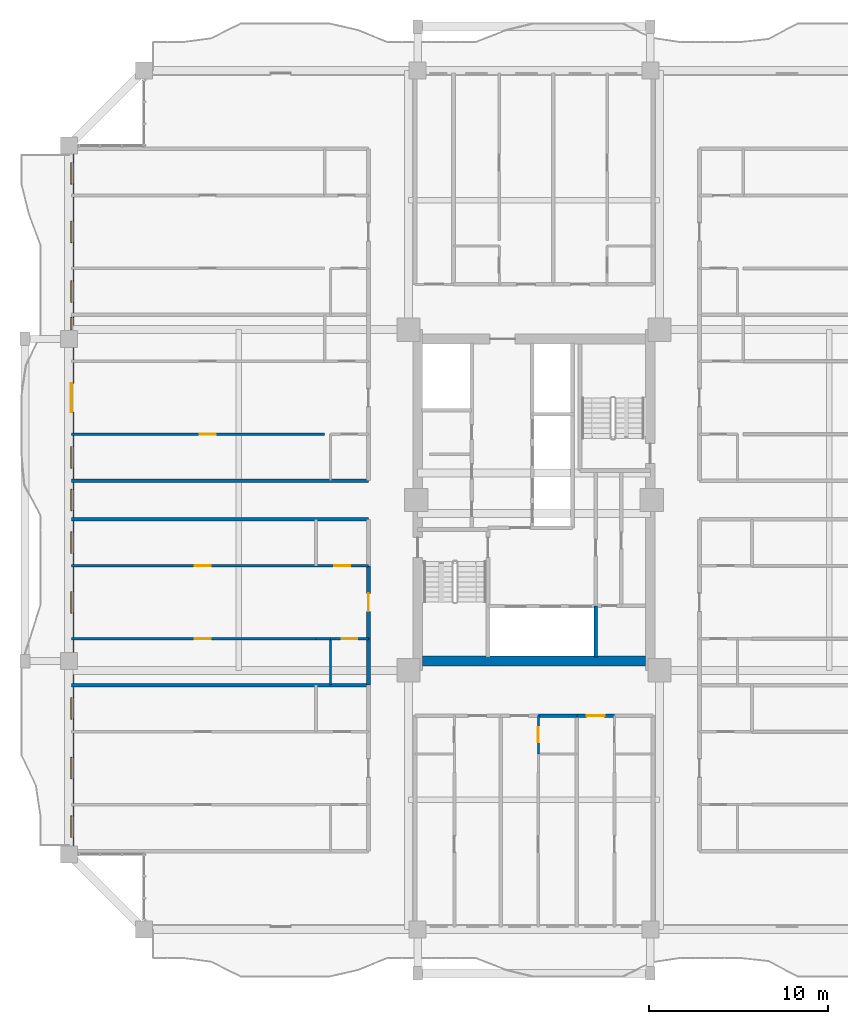
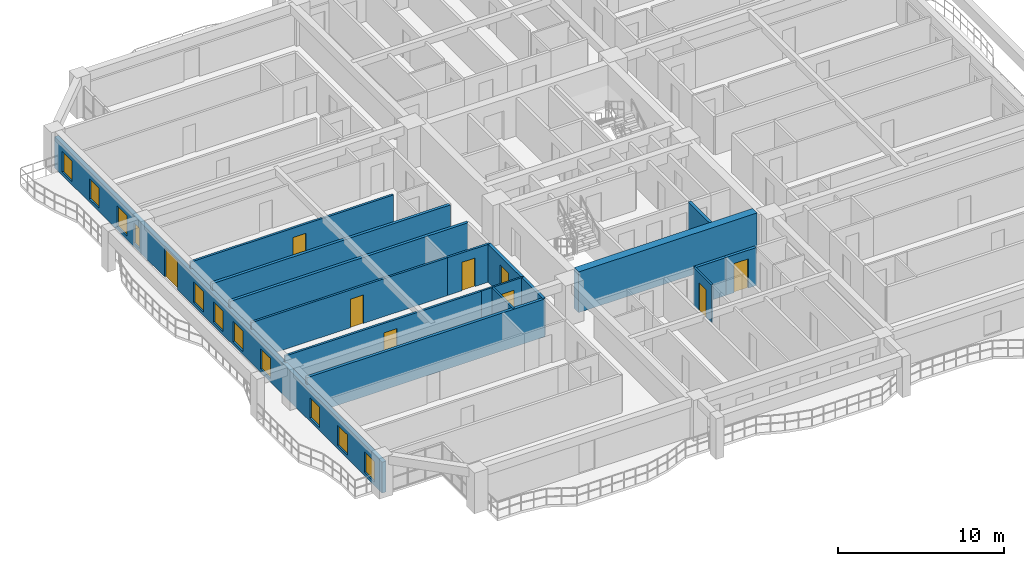
# One storey, part 15 of 25: 18 walls, 11 windows, 9 doors, 20 openings.
"""IFC4 building model written with IfcOpenShell, lengths in metres."""

from ifc_helpers import new_model, si_unit, direction, frame, frame_2d, origin, place, context, subcontext, project, spatial, rectangle, extrude, source, transform, mapped, material, layer, layer_set, type_object, element, fill, save


model = new_model("IFC4")

# Units and contexts
model_context = context("Model", 3, precision=1e-05, world=origin(), true_north=direction((0.0, 1.0)))
body_context = subcontext(model_context, "Body", "Model", "MODEL_VIEW")
ifc_project = project(units=[si_unit("LENGTHUNIT", "METRE"), si_unit("AREAUNIT", "SQUARE_METRE"), si_unit("VOLUMEUNIT", "CUBIC_METRE"), si_unit("PLANEANGLEUNIT", "RADIAN"), si_unit("MASSUNIT", "GRAM", prefix="KILO")], contexts=[model_context])

# Site, building, storey
site_placement = place(None, origin())
site = spatial("IfcSite", under=ifc_project, at=site_placement, CompositionType="ELEMENT")
building_placement = place(site_placement, origin())
building = spatial("IfcBuilding", under=site, at=building_placement, Name="Saelheon Loggia Tower", CompositionType="ELEMENT")
storey_placement = place(building_placement, frame((0.0, 0.0, 107.85009765625)))
storey = spatial("IfcBuildingStorey", under=building, at=storey_placement, Name="L34", CompositionType="ELEMENT", Elevation=107.85009765625)

# Wall
ifc_material_1 = material(Name="Concrete C50/60", Category="concrete")
ifc_layer_1 = layer(ifc_material_1, 0.550048828125)
ifc_layer_set_1 = layer_set([ifc_layer_1], Name="Concrete C50/60")
wall_type_1 = type_object("IfcWallType", Name="Wall_CoreShear_550", PredefinedType="SHEAR", material=ifc_layer_set_1)
wall_1_placement = place(storey_placement, frame((31.77490234375, 18.0, 0.0), z_axis=(0.0, 0.0, 1.0), x_axis=(1.0, 0.0, 0.0)))
element("IfcWall", 1, at=wall_1_placement, inside=storey, type_object=wall_type_1, Name="L34 Core Shear Wall South", PredefinedType="SHEAR", context=body_context, shape_type="SweptSolid", body=[
    extrude(rectangle(XDim=12.4501953125, YDim=0.550048828125, at=frame_2d((6.22509765625, 0.0))), origin(), (0.0, 0.0, 1.0), 3.0),
])

# Wall, openings, windows, door
ifc_material_2 = material(Name="Architectural Precast Concrete C40/50", Category="concrete")
ifc_layer_2 = layer(ifc_material_2, 0.280029296875)
ifc_layer_set_2 = layer_set([ifc_layer_2], Name="Architectural Precast Concrete C40/50")
wall_type_2 = type_object("IfcWallType", Name="Wall_Ext_Loggia_280", PredefinedType="SOLIDWALL", material=ifc_layer_set_2)
wall_2_placement = place(storey_placement, frame((12.139892578125, 7.199951171875, 0.0), z_axis=(0.0, 0.0, 1.0), x_axis=(0.0, 1.0, 0.0)))
wall_2 = element("IfcWall", 2, at=wall_2_placement, inside=storey, type_object=wall_type_2, Name="L34 West Loggia Inner Wall", PredefinedType="SOLIDWALL", context=body_context, shape_type="SweptSolid", body=[
    extrude(rectangle(XDim=39.60009765625, YDim=0.280029296875, at=frame_2d((19.800048828125, 0.0))), origin(), (0.0, 0.0, 1.0), 2.27978515625),
])
opening_1_placement = place(wall_2_placement, frame((0.9453125, 0.0, 0.25)))
opening_1 = element("IfcOpeningElement", 3, at=opening_1_placement, cuts=wall_2, Name="Opening WN-03", PredefinedType="OPENING", context=body_context, shape_type="SweptSolid", body=[
    extrude(rectangle(XDim=1.199951171875, YDim=1.5, at=frame_2d((0.60009765625, 0.75))), frame((0.0, 0.152099609375, 0.0), z_axis=(0.0, -1.0, 0.0), x_axis=(1.0, 0.0, 0.0)), (0.0, 0.0, 1.0), 0.303955078125),
])
opening_2_placement = place(wall_2_placement, frame((4.212890625, 0.0, 0.25)))
opening_2 = element("IfcOpeningElement", 4, at=opening_2_placement, cuts=wall_2, Name="Opening WN-03", PredefinedType="OPENING", context=body_context, shape_type="SweptSolid", body=[
    extrude(rectangle(XDim=1.199951171875, YDim=1.5, at=frame_2d((0.60009765625, 0.75))), frame((0.0, 0.152099609375, 0.0), z_axis=(0.0, -1.0, 0.0), x_axis=(1.0, 0.0, 0.0)), (0.0, 0.0, 1.0), 0.303955078125),
])
opening_3_placement = place(wall_2_placement, frame((7.550048828125, 0.0, 0.25)))
opening_3 = element("IfcOpeningElement", 5, at=opening_3_placement, cuts=wall_2, Name="Opening WN-03", PredefinedType="OPENING", context=body_context, shape_type="SweptSolid", body=[
    extrude(rectangle(XDim=1.199951171875, YDim=1.5, at=frame_2d((0.60009765625, 0.75))), frame((0.0, 0.152099609375, 0.0), z_axis=(0.0, -1.0, 0.0), x_axis=(1.0, 0.0, 0.0)), (0.0, 0.0, 1.0), 0.303955078125),
])
opening_4_placement = place(wall_2_placement, frame((13.48291015625, 0.0, 0.25)))
opening_4 = element("IfcOpeningElement", 6, at=opening_4_placement, cuts=wall_2, Name="Opening WN-03", PredefinedType="OPENING", context=body_context, shape_type="SweptSolid", body=[
    extrude(rectangle(XDim=1.199951171875, YDim=1.5, at=frame_2d((0.60009765625, 0.75))), frame((0.0, 0.152099609375, 0.0), z_axis=(0.0, -1.0, 0.0), x_axis=(1.0, 0.0, 0.0)), (0.0, 0.0, 1.0), 0.303955078125),
])
opening_5_placement = place(wall_2_placement, frame((16.820068359375, 0.0, 0.25)))
opening_5 = element("IfcOpeningElement", 7, at=opening_5_placement, cuts=wall_2, Name="Opening WN-03", PredefinedType="OPENING", context=body_context, shape_type="SweptSolid", body=[
    extrude(rectangle(XDim=1.199951171875, YDim=1.5, at=frame_2d((0.60009765625, 0.75))), frame((0.0, 0.152099609375, 0.0), z_axis=(0.0, -1.0, 0.0), x_axis=(1.0, 0.0, 0.0)), (0.0, 0.0, 1.0), 0.303955078125),
])
opening_6_placement = place(wall_2_placement, frame((19.199951171875, 0.0, 0.25)))
opening_6 = element("IfcOpeningElement", 8, at=opening_6_placement, cuts=wall_2, Name="Opening WN-03", PredefinedType="OPENING", context=body_context, shape_type="SweptSolid", body=[
    extrude(rectangle(XDim=1.199951171875, YDim=1.5, at=frame_2d((0.60009765625, 0.75))), frame((0.0, 0.152099609375, 0.0), z_axis=(0.0, -1.0, 0.0), x_axis=(1.0, 0.0, 0.0)), (0.0, 0.0, 1.0), 0.303955078125),
])
opening_7_placement = place(wall_2_placement, frame((21.577880859375, 0.0, 0.25)))
opening_7 = element("IfcOpeningElement", 9, at=opening_7_placement, cuts=wall_2, Name="Opening WN-03", PredefinedType="OPENING", context=body_context, shape_type="SweptSolid", body=[
    extrude(rectangle(XDim=1.199951171875, YDim=1.5, at=frame_2d((0.60009765625, 0.75))), frame((0.0, 0.152099609375, 0.0), z_axis=(0.0, -1.0, 0.0), x_axis=(1.0, 0.0, 0.0)), (0.0, 0.0, 1.0), 0.303955078125),
])
opening_8_placement = place(wall_2_placement, frame((24.712890625, 0.0, 0.0)))
opening_8 = element("IfcOpeningElement", 10, at=opening_8_placement, cuts=wall_2, Name="Opening DLG-1", PredefinedType="OPENING", context=body_context, shape_type="SweptSolid", body=[
    extrude(rectangle(XDim=1.60009765625, YDim=2.14990234375, at=frame_2d((0.800048828125, 1.074951171875))), frame((0.0, 0.152099609375, 0.0), z_axis=(0.0, -1.0, 0.0), x_axis=(1.0, 0.0, 0.0)), (0.0, 0.0, 1.0), 0.303955078125),
])
opening_9_placement = place(wall_2_placement, frame((29.304931640625, 0.0, 0.25)))
opening_9 = element("IfcOpeningElement", 11, at=opening_9_placement, cuts=wall_2, Name="Opening WN-06", PredefinedType="OPENING", context=body_context, shape_type="SweptSolid", body=[
    extrude(rectangle(XDim=0.699951171875, YDim=1.5, at=frame_2d((0.35009765625, 0.75))), frame((0.0, 0.152099609375, 0.0), z_axis=(0.0, -1.0, 0.0), x_axis=(1.0, 0.0, 0.0)), (0.0, 0.0, 1.0), 0.303955078125),
])
opening_10_placement = place(wall_2_placement, frame((30.847900390625, 0.0, 0.25)))
opening_10 = element("IfcOpeningElement", 12, at=opening_10_placement, cuts=wall_2, Name="Opening WN-03", PredefinedType="OPENING", context=body_context, shape_type="SweptSolid", body=[
    extrude(rectangle(XDim=1.199951171875, YDim=1.5, at=frame_2d((0.60009765625, 0.75))), frame((0.0, 0.152099609375, 0.0), z_axis=(0.0, -1.0, 0.0), x_axis=(1.0, 0.0, 0.0)), (0.0, 0.0, 1.0), 0.303955078125),
])
opening_11_placement = place(wall_2_placement, frame((34.182861328125, 0.0, 0.25)))
opening_11 = element("IfcOpeningElement", 13, at=opening_11_placement, cuts=wall_2, Name="Opening WN-03", PredefinedType="OPENING", context=body_context, shape_type="SweptSolid", body=[
    extrude(rectangle(XDim=1.199951171875, YDim=1.5, at=frame_2d((0.60009765625, 0.75))), frame((0.0, 0.152099609375, 0.0), z_axis=(0.0, -1.0, 0.0), x_axis=(1.0, 0.0, 0.0)), (0.0, 0.0, 1.0), 0.303955078125),
])
opening_12_placement = place(wall_2_placement, frame((37.452392578125, 0.0, 0.25)))
opening_12 = element("IfcOpeningElement", 14, at=opening_12_placement, cuts=wall_2, Name="Opening WN-03", PredefinedType="OPENING", context=body_context, shape_type="SweptSolid", body=[
    extrude(rectangle(XDim=1.199951171875, YDim=1.5, at=frame_2d((0.60009765625, 0.75))), frame((0.0, 0.152099609375, 0.0), z_axis=(0.0, -1.0, 0.0), x_axis=(1.0, 0.0, 0.0)), (0.0, 0.0, 1.0), 0.303955078125),
])
ifc_material_3 = material(Name="Thermal-Break Aluminium and Triple Low-E Glass", Category="aluminium")
window_type_1 = type_object("IfcWindowType", Name="Win_Slot_700x1500", PartitioningType="SINGLE_PANEL", PredefinedType="WINDOW", material=ifc_material_3)
shared_shape_1 = source(origin(), body_context, "Body", "SweptSolid", [
    extrude(rectangle(XDim=0.699951171875, YDim=1.5, at=frame_2d((0.35009765625, 0.75))), frame((0.0, 0.030029296875, 0.0), z_axis=(0.0, -1.0, 0.0), x_axis=(1.0, 0.0, 0.0)), (0.0, 0.0, 1.0), 0.06005859375),
])
window_1_placement = place(opening_9_placement, origin())
window_1 = element("IfcWindow", 15, at=window_1_placement, inside=storey, type_object=window_type_1, Name="L34 W Dwelling Window 9", OverallHeight=1.5, OverallWidth=0.699951171875, PartitioningType="SINGLE_PANEL", PredefinedType="WINDOW", context=body_context, shape_type="MappedRepresentation", body=[
    mapped(shared_shape_1, transform((0.0, 0.0, 0.0), scale=1.0)),
])
fill(opening_9, window_1)
window_type_2 = type_object("IfcWindowType", Name="Win_Bedroom_1200x1500", PartitioningType="SINGLE_PANEL", PredefinedType="WINDOW", material=ifc_material_3)
shared_shape_2 = source(origin(), body_context, "Body", "SweptSolid", [
    extrude(rectangle(XDim=1.199951171875, YDim=1.5, at=frame_2d((0.60009765625, 0.75))), frame((0.0, 0.030029296875, 0.0), z_axis=(0.0, -1.0, 0.0), x_axis=(1.0, 0.0, 0.0)), (0.0, 0.0, 1.0), 0.06005859375),
])
window_2_placement = place(opening_1_placement, origin())
window_2 = element("IfcWindow", 16, at=window_2_placement, inside=storey, type_object=window_type_2, Name="L34 W Dwelling Window 1", OverallHeight=1.5, OverallWidth=1.199951171875, PartitioningType="SINGLE_PANEL", PredefinedType="WINDOW", context=body_context, shape_type="MappedRepresentation", body=[
    mapped(shared_shape_2, transform((0.0, 0.0, 0.0), scale=1.0)),
])
fill(opening_1, window_2)
window_3_placement = place(opening_2_placement, origin())
window_3 = element("IfcWindow", 17, at=window_3_placement, inside=storey, type_object=window_type_2, Name="L34 W Dwelling Window 2", OverallHeight=1.5, OverallWidth=1.199951171875, PartitioningType="SINGLE_PANEL", PredefinedType="WINDOW", context=body_context, shape_type="MappedRepresentation", body=[
    mapped(shared_shape_2, transform((0.0, 0.0, 0.0), scale=1.0)),
])
fill(opening_2, window_3)
window_4_placement = place(opening_3_placement, origin())
window_4 = element("IfcWindow", 18, at=window_4_placement, inside=storey, type_object=window_type_2, Name="L34 W Dwelling Window 3", OverallHeight=1.5, OverallWidth=1.199951171875, PartitioningType="SINGLE_PANEL", PredefinedType="WINDOW", context=body_context, shape_type="MappedRepresentation", body=[
    mapped(shared_shape_2, transform((0.0, 0.0, 0.0), scale=1.0)),
])
fill(opening_3, window_4)
window_5_placement = place(opening_4_placement, origin())
window_5 = element("IfcWindow", 19, at=window_5_placement, inside=storey, type_object=window_type_2, Name="L34 W Dwelling Window 4", OverallHeight=1.5, OverallWidth=1.199951171875, PartitioningType="SINGLE_PANEL", PredefinedType="WINDOW", context=body_context, shape_type="MappedRepresentation", body=[
    mapped(shared_shape_2, transform((0.0, 0.0, 0.0), scale=1.0)),
])
fill(opening_4, window_5)
window_6_placement = place(opening_5_placement, origin())
window_6 = element("IfcWindow", 20, at=window_6_placement, inside=storey, type_object=window_type_2, Name="L34 W Dwelling Window 5", OverallHeight=1.5, OverallWidth=1.199951171875, PartitioningType="SINGLE_PANEL", PredefinedType="WINDOW", context=body_context, shape_type="MappedRepresentation", body=[
    mapped(shared_shape_2, transform((0.0, 0.0, 0.0), scale=1.0)),
])
fill(opening_5, window_6)
window_7_placement = place(opening_6_placement, origin())
window_7 = element("IfcWindow", 21, at=window_7_placement, inside=storey, type_object=window_type_2, Name="L34 W Dwelling Window 6", OverallHeight=1.5, OverallWidth=1.199951171875, PartitioningType="SINGLE_PANEL", PredefinedType="WINDOW", context=body_context, shape_type="MappedRepresentation", body=[
    mapped(shared_shape_2, transform((0.0, 0.0, 0.0), scale=1.0)),
])
fill(opening_6, window_7)
window_8_placement = place(opening_7_placement, origin())
window_8 = element("IfcWindow", 22, at=window_8_placement, inside=storey, type_object=window_type_2, Name="L34 W Dwelling Window 7", OverallHeight=1.5, OverallWidth=1.199951171875, PartitioningType="SINGLE_PANEL", PredefinedType="WINDOW", context=body_context, shape_type="MappedRepresentation", body=[
    mapped(shared_shape_2, transform((0.0, 0.0, 0.0), scale=1.0)),
])
fill(opening_7, window_8)
window_9_placement = place(opening_10_placement, origin())
window_9 = element("IfcWindow", 23, at=window_9_placement, inside=storey, type_object=window_type_2, Name="L34 W Dwelling Window 10", OverallHeight=1.5, OverallWidth=1.199951171875, PartitioningType="SINGLE_PANEL", PredefinedType="WINDOW", context=body_context, shape_type="MappedRepresentation", body=[
    mapped(shared_shape_2, transform((0.0, 0.0, 0.0), scale=1.0)),
])
fill(opening_10, window_9)
window_10_placement = place(opening_11_placement, origin())
window_10 = element("IfcWindow", 24, at=window_10_placement, inside=storey, type_object=window_type_2, Name="L34 W Dwelling Window 11", OverallHeight=1.5, OverallWidth=1.199951171875, PartitioningType="SINGLE_PANEL", PredefinedType="WINDOW", context=body_context, shape_type="MappedRepresentation", body=[
    mapped(shared_shape_2, transform((0.0, 0.0, 0.0), scale=1.0)),
])
fill(opening_11, window_10)
window_11_placement = place(opening_12_placement, origin())
window_11 = element("IfcWindow", 25, at=window_11_placement, inside=storey, type_object=window_type_2, Name="L34 W Dwelling Window 12", OverallHeight=1.5, OverallWidth=1.199951171875, PartitioningType="SINGLE_PANEL", PredefinedType="WINDOW", context=body_context, shape_type="MappedRepresentation", body=[
    mapped(shared_shape_2, transform((0.0, 0.0, 0.0), scale=1.0)),
])
fill(opening_12, window_11)
ifc_material_4 = material(Name="Thermal-Break Aluminium Sliding Glazed Door", Category="aluminium")
door_type_1 = type_object("IfcDoorType", Name="Door_LoggiaSlide_1600", OperationType="SLIDING_TO_LEFT", PredefinedType="DOOR", material=ifc_material_4)
shared_shape_3 = source(origin(), body_context, "Body", "SweptSolid", [
    extrude(rectangle(XDim=1.60009765625, YDim=2.14990234375, at=frame_2d((0.800048828125, 1.074951171875))), frame((0.0, 0.02490234375, 0.0), z_axis=(0.0, -1.0, 0.0), x_axis=(1.0, 0.0, 0.0)), (0.0, 0.0, 1.0), 0.050048828125),
])
door_1_placement = place(opening_8_placement, origin())
door_1 = element("IfcDoor", 26, at=door_1_placement, inside=storey, type_object=door_type_1, Name="L34 W Loggia Access Door", OperationType="SLIDING_TO_LEFT", OverallHeight=2.14990234375, OverallWidth=1.60009765625, PredefinedType="DOOR", context=body_context, shape_type="MappedRepresentation", body=[
    mapped(shared_shape_3, transform((0.0, 0.0, 0.0), scale=1.0)),
])
fill(opening_8, door_1)

# Wall, opening, door
ifc_material_5 = material(Name="Lightweight Autoclaved Aerated Concrete Block and Acoustic Gypsum", Category="concrete")
ifc_layer_3 = layer(ifc_material_5, 0.14990234375)
ifc_layer_set_3 = layer_set([ifc_layer_3], Name="Lightweight Autoclaved Aerated Concrete Block and Acoustic Gypsum")
wall_type_3 = type_object("IfcWallType", Name="Wall_Part_150", PredefinedType="PARTITIONING", material=ifc_layer_set_3)
wall_3_placement = place(storey_placement, frame((25.820068359375, 19.24560546875, 0.0), z_axis=(0.0, 0.0, 1.0), x_axis=(-1.0, 0.0, 0.0)))
wall_3 = element("IfcWall", 27, at=wall_3_placement, inside=storey, type_object=wall_type_3, Name="L34 WS Partition U21", PredefinedType="PARTITIONING", context=body_context, shape_type="SweptSolid", body=[
    extrude(rectangle(XDim=13.670166015625, YDim=0.14990234375, at=frame_2d((6.8349609375, 0.0))), origin(), (0.0, 0.0, 1.0), 2.789794921875),
])
opening_13_placement = place(wall_3_placement, frame((5.872802734375, 0.0, 0.0)))
opening_13 = element("IfcOpeningElement", 28, at=opening_13_placement, cuts=wall_3, Name="Opening D-IN2", PredefinedType="OPENING", context=body_context, shape_type="SweptSolid", body=[
    extrude(rectangle(XDim=0.89990234375, YDim=2.10009765625, at=frame_2d((0.449951171875, 1.050048828125))), frame((0.0, 0.0869140625, 0.0), z_axis=(0.0, -1.0, 0.0), x_axis=(1.0, 0.0, 0.0)), (0.0, 0.0, 1.0), 0.173828125),
])
ifc_material_6 = material(Name="Engineered Oak Flush Door", Category="timber")
door_type_2 = type_object("IfcDoorType", Name="Door_Int_900", OperationType="NOTDEFINED", PredefinedType="DOOR", material=ifc_material_6)
shared_shape_4 = source(origin(), body_context, "Body", "SweptSolid", [
    extrude(rectangle(XDim=0.89990234375, YDim=2.10009765625, at=frame_2d((0.449951171875, 1.050048828125))), frame((0.0, 0.02490234375, 0.0), z_axis=(0.0, -1.0, 0.0), x_axis=(1.0, 0.0, 0.0)), (0.0, 0.0, 1.0), 0.050048828125),
])
door_2_placement = place(opening_13_placement, origin())
door_2 = element("IfcDoor", 29, at=door_2_placement, inside=storey, type_object=door_type_2, Name="Unit U07 Kitchen Door", OperationType="SINGLE_SWING_LEFT", OverallHeight=2.10009765625, OverallWidth=0.89990234375, PredefinedType="DOOR", context=body_context, shape_type="MappedRepresentation", body=[
    mapped(shared_shape_4, transform((0.0, 0.0, 0.0), scale=1.0)),
])
fill(opening_13, door_2)

wall_4_placement = place(storey_placement, frame((28.75, 23.320068359375, 0.0), z_axis=(0.0, 0.0, 1.0), x_axis=(-1.0, 0.0, 0.0)))
wall_4 = element("IfcWall", 30, at=wall_4_placement, inside=storey, type_object=wall_type_3, Name="L34 WS Partition U22", PredefinedType="PARTITIONING", context=body_context, shape_type="SweptSolid", body=[
    extrude(rectangle(XDim=2.929931640625, YDim=0.14990234375, at=frame_2d((1.46484375, 0.0))), origin(), (0.0, 0.0, 1.0), 2.789794921875),
])
opening_14_placement = place(wall_4_placement, frame((1.014892578125, 0.0, 0.0)))
opening_14 = element("IfcOpeningElement", 31, at=opening_14_placement, cuts=wall_4, Name="Opening D-IN2", PredefinedType="OPENING", context=body_context, shape_type="SweptSolid", body=[
    extrude(rectangle(XDim=0.89990234375, YDim=2.10009765625, at=frame_2d((0.449951171875, 1.050048828125))), frame((0.0, 0.0869140625, 0.0), z_axis=(0.0, -1.0, 0.0), x_axis=(1.0, 0.0, 0.0)), (0.0, 0.0, 1.0), 0.173828125),
])
door_3_placement = place(opening_14_placement, origin())
door_3 = element("IfcDoor", 32, at=door_3_placement, inside=storey, type_object=door_type_2, Name="Unit U07 Dressing Closet Door", OperationType="SINGLE_SWING_RIGHT", OverallHeight=2.10009765625, OverallWidth=0.89990234375, PredefinedType="DOOR", context=body_context, shape_type="MappedRepresentation", body=[
    mapped(shared_shape_4, transform((0.0, 0.0, 0.0), scale=1.0)),
])
fill(opening_14, door_3)

wall_5_placement = place(storey_placement, frame((25.820068359375, 23.320068359375, 0.0), z_axis=(0.0, 0.0, 1.0), x_axis=(-1.0, 0.0, 0.0)))
wall_5 = element("IfcWall", 33, at=wall_5_placement, inside=storey, type_object=wall_type_3, Name="L34 WS Partition U23", PredefinedType="PARTITIONING", context=body_context, shape_type="SweptSolid", body=[
    extrude(rectangle(XDim=13.670166015625, YDim=0.14990234375, at=frame_2d((6.8349609375, 0.0))), origin(), (0.0, 0.0, 1.0), 2.789794921875),
])
opening_15_placement = place(wall_5_placement, frame((5.872802734375, 0.0, 0.0)))
opening_15 = element("IfcOpeningElement", 34, at=opening_15_placement, cuts=wall_5, Name="Opening D-IN2", PredefinedType="OPENING", context=body_context, shape_type="SweptSolid", body=[
    extrude(rectangle(XDim=0.89990234375, YDim=2.10009765625, at=frame_2d((0.449951171875, 1.050048828125))), frame((0.0, 0.0869140625, 0.0), z_axis=(0.0, -1.0, 0.0), x_axis=(1.0, 0.0, 0.0)), (0.0, 0.0, 1.0), 0.173828125),
])
door_4_placement = place(opening_15_placement, origin())
door_4 = element("IfcDoor", 35, at=door_4_placement, inside=storey, type_object=door_type_2, Name="Unit U07 Bedroom 1 Door", OperationType="SINGLE_SWING_LEFT", OverallHeight=2.10009765625, OverallWidth=0.89990234375, PredefinedType="DOOR", context=body_context, shape_type="MappedRepresentation", body=[
    mapped(shared_shape_4, transform((0.0, 0.0, 0.0), scale=1.0)),
])
fill(opening_15, door_4)

wall_6_placement = place(storey_placement, frame((26.300048828125, 30.675537109375, 0.0), z_axis=(0.0, 0.0, 1.0), x_axis=(-1.0, 0.0, 0.0)))
wall_6 = element("IfcWall", 36, at=wall_6_placement, inside=storey, type_object=wall_type_3, Name="L34 WN Partition U09", PredefinedType="PARTITIONING", context=body_context, shape_type="SweptSolid", body=[
    extrude(rectangle(XDim=14.150146484375, YDim=0.14990234375, at=frame_2d((7.0751953125, 0.0))), origin(), (0.0, 0.0, 1.0), 2.789794921875),
])
opening_16_placement = place(wall_6_placement, frame((6.093017578125, 0.0, 0.0)))
opening_16 = element("IfcOpeningElement", 37, at=opening_16_placement, cuts=wall_6, Name="Opening D-IN2", PredefinedType="OPENING", context=body_context, shape_type="SweptSolid", body=[
    extrude(rectangle(XDim=0.89990234375, YDim=2.10009765625, at=frame_2d((0.449951171875, 1.050048828125))), frame((0.0, 0.0869140625, 0.0), z_axis=(0.0, -1.0, 0.0), x_axis=(1.0, 0.0, 0.0)), (0.0, 0.0, 1.0), 0.173828125),
])
door_5_placement = place(opening_16_placement, origin())
door_5 = element("IfcDoor", 38, at=door_5_placement, inside=storey, type_object=door_type_2, Name="Unit U08 Kitchen Door", OperationType="SINGLE_SWING_RIGHT", OverallHeight=2.10009765625, OverallWidth=0.89990234375, PredefinedType="DOOR", context=body_context, shape_type="MappedRepresentation", body=[
    mapped(shared_shape_4, transform((0.0, 0.0, 0.0), scale=1.0)),
])
fill(opening_16, door_5)

# Wall
ifc_material_7 = material(Name="Double Acoustic Stud and Fireboard Partition", Category="gypsum")
ifc_layer_4 = layer(ifc_material_7, 0.199951171875)
ifc_layer_set_4 = layer_set([ifc_layer_4], Name="Double Acoustic Stud and Fireboard Partition")
wall_type_4 = type_object("IfcWallType", Name="Wall_Party_200", PredefinedType="PARTITIONING", material=ifc_layer_set_4)
wall_7_placement = place(storey_placement, frame((38.243896484375, 14.949951171875, 0.0), z_axis=(0.0, 0.0, 1.0), x_axis=(1.0, 0.0, 0.0)))
element("IfcWall", 39, at=wall_7_placement, inside=storey, type_object=wall_type_4, Name="L34 S Partition V11", PredefinedType="PARTITIONING", context=body_context, shape_type="SweptSolid", body=[
    extrude(rectangle(XDim=2.150146484375, YDim=0.199951171875, at=frame_2d((1.0751953125, 0.0))), origin(), (0.0, 0.0, 1.0), 2.789794921875),
])

# Wall, opening, door
wall_8_placement = place(storey_placement, frame((40.39404296875, 14.949951171875, 0.0), z_axis=(0.0, 0.0, 1.0), x_axis=(1.0, 0.0, 0.0)))
wall_8 = element("IfcWall", 40, at=wall_8_placement, inside=storey, type_object=wall_type_4, Name="L34 S Partition V17", PredefinedType="PARTITIONING", context=body_context, shape_type="SweptSolid", body=[
    extrude(rectangle(XDim=2.10595703125, YDim=0.199951171875, at=frame_2d((1.052978515625, 0.0))), origin(), (0.0, 0.0, 1.0), 2.789794921875),
])
opening_17_placement = place(wall_8_placement, frame((0.552978515625, 0.0, 0.0)))
opening_17 = element("IfcOpeningElement", 41, at=opening_17_placement, cuts=wall_8, Name="Opening D-FD1", PredefinedType="OPENING", context=body_context, shape_type="SweptSolid", body=[
    extrude(rectangle(XDim=1.0, YDim=2.14990234375, at=frame_2d((0.5, 1.074951171875))), frame((0.0, 0.112060546875, 0.0), z_axis=(0.0, -1.0, 0.0), x_axis=(1.0, 0.0, 0.0)), (0.0, 0.0, 1.0), 0.223876953125),
])
ifc_material_8 = material(Name="Fire-Rated Engineered Timber Entrance Door", Category="wood")
door_type_3 = type_object("IfcDoorType", Name="Door_Flat_FD30S", OperationType="NOTDEFINED", PredefinedType="DOOR", material=ifc_material_8)
shared_shape_5 = source(origin(), body_context, "Body", "SweptSolid", [
    extrude(rectangle(XDim=1.0, YDim=2.14990234375, at=frame_2d((0.5, 1.074951171875))), frame((0.0, 0.02490234375, 0.0), z_axis=(0.0, -1.0, 0.0), x_axis=(1.0, 0.0, 0.0)), (0.0, 0.0, 1.0), 0.050048828125),
])
door_6_placement = place(opening_17_placement, origin())
door_6 = element("IfcDoor", 42, at=door_6_placement, inside=storey, type_object=door_type_3, Name="Unit U03 Entrance Door", OperationType="SINGLE_SWING_RIGHT", OverallHeight=2.14990234375, OverallWidth=1.0, PredefinedType="DOOR", context=body_context, shape_type="MappedRepresentation", body=[
    mapped(shared_shape_5, transform((0.0, 0.0, 0.0), scale=1.0)),
])
fill(opening_17, door_6)

# Walls
for number, where, z_axis, x_axis, name in (
    (43, (28.75, 25.919921875, 0.0), (0.0, 0.0, 1.0), (-1.0, 0.0, 0.0), "L34 WS Partition U02"),
    (44, (28.75, 16.64990234375, 0.0), (0.0, 0.0, 1.0), (-1.0, 0.0, 0.0), "L34 WS Partition U13"),
):
    element("IfcWall", number, at=place(storey_placement, frame(where, z_axis=z_axis, x_axis=x_axis)), inside=storey, type_object=wall_type_4, Name=name, PredefinedType="PARTITIONING", context=body_context, shape_type="SweptSolid", body=[
        extrude(rectangle(XDim=16.60009765625, YDim=0.199951171875, at=frame_2d((8.300048828125, 0.0))), origin(), (0.0, 0.0, 1.0), 2.789794921875),
    ])
wall_9_placement = place(storey_placement, frame((28.75, 16.64990234375, 0.0), z_axis=(0.0, 0.0, 1.0), x_axis=(0.0, 1.0, 0.0)))
element("IfcWall", 45, at=wall_9_placement, inside=storey, type_object=wall_type_4, Name="L34 WS Partition V14", PredefinedType="PARTITIONING", context=body_context, shape_type="SweptSolid", body=[
    extrude(rectangle(XDim=2.595703125, YDim=0.199951171875, at=frame_2d((1.2978515625, 0.0))), origin(), (0.0, 0.0, 1.0), 2.789794921875),
])

# Wall, opening, door
wall_10_placement = place(storey_placement, frame((28.75, 19.24560546875, 0.0), z_axis=(0.0, 0.0, 1.0), x_axis=(0.0, 1.0, 0.0)))
wall_10 = element("IfcWall", 46, at=wall_10_placement, inside=storey, type_object=wall_type_4, Name="L34 WS Partition V15", PredefinedType="PARTITIONING", context=body_context, shape_type="SweptSolid", body=[
    extrude(rectangle(XDim=4.074462890625, YDim=0.199951171875, at=frame_2d((2.037109375, 0.0))), origin(), (0.0, 0.0, 1.0), 2.789794921875),
])
opening_18_placement = place(wall_10_placement, frame((1.537109375, 0.0, 0.0)))
opening_18 = element("IfcOpeningElement", 47, at=opening_18_placement, cuts=wall_10, Name="Opening D-FD1", PredefinedType="OPENING", context=body_context, shape_type="SweptSolid", body=[
    extrude(rectangle(XDim=1.0, YDim=2.14990234375, at=frame_2d((0.5, 1.074951171875))), frame((0.0, 0.112060546875, 0.0), z_axis=(0.0, -1.0, 0.0), x_axis=(1.0, 0.0, 0.0)), (0.0, 0.0, 1.0), 0.223876953125),
])
door_7_placement = place(opening_18_placement, origin())
door_7 = element("IfcDoor", 48, at=door_7_placement, inside=storey, type_object=door_type_3, Name="Unit U07 Entrance Door", OperationType="SINGLE_SWING_LEFT", OverallHeight=2.14990234375, OverallWidth=1.0, PredefinedType="DOOR", context=body_context, shape_type="MappedRepresentation", body=[
    mapped(shared_shape_5, transform((0.0, 0.0, 0.0), scale=1.0)),
])
fill(opening_18, door_7)

# Walls
wall_11_placement = place(storey_placement, frame((28.75, 28.080078125, 0.0), z_axis=(0.0, 0.0, 1.0), x_axis=(-1.0, 0.0, 0.0)))
element("IfcWall", 49, at=wall_11_placement, inside=storey, type_object=wall_type_4, Name="L34 WN Partition U01", PredefinedType="PARTITIONING", context=body_context, shape_type="SweptSolid", body=[
    extrude(rectangle(XDim=16.60009765625, YDim=0.199951171875, at=frame_2d((8.300048828125, 0.0))), origin(), (0.0, 0.0, 1.0), 2.789794921875),
])
ifc_material_9 = material(Name="Concrete C40/50", Category="concrete")
ifc_layer_5 = layer(ifc_material_9, 0.199951171875)
ifc_layer_set_5 = layer_set([ifc_layer_5], Name="Concrete C40/50")
wall_type_5 = type_object("IfcWallType", Name="Wall_Shaft_200", PredefinedType="PARTITIONING", material=ifc_layer_set_5)
wall_12_placement = place(storey_placement, frame((41.449951171875, 18.219970703125, 0.0), z_axis=(0.0, 0.0, 1.0), x_axis=(0.0, 1.0, 0.0)))
element("IfcWall", 50, at=wall_12_placement, inside=storey, type_object=wall_type_5, Name="CW-INT-L34-BOH-W0", PredefinedType="PARTITIONING", context=body_context, shape_type="SweptSolid", body=[
    extrude(rectangle(XDim=2.860107421875, YDim=0.199951171875, at=frame_2d((1.43017578125, 0.0))), origin(), (0.0, 0.0, 1.0), 2.789794921875),
])

# Wall, opening, door
ifc_material_10 = material(Name="Moisture-Resistant Cement Board Partition", Category="gypsum")
ifc_layer_6 = layer(ifc_material_10, 0.1201171875)
ifc_layer_set_6 = layer_set([ifc_layer_6], Name="Moisture-Resistant Cement Board Partition")
wall_type_6 = type_object("IfcWallType", Name="Wall_WetPart_120", PredefinedType="PARTITIONING", material=ifc_layer_set_6)
wall_13_placement = place(storey_placement, frame((38.243896484375, 14.949951171875, 0.0), z_axis=(0.0, 0.0, 1.0), x_axis=(0.0, -1.0, 0.0)))
wall_13 = element("IfcWall", 51, at=wall_13_placement, inside=storey, type_object=wall_type_6, Name="L34 S Partition U12", PredefinedType="PARTITIONING", context=body_context, shape_type="SweptSolid", body=[
    extrude(rectangle(XDim=2.14990234375, YDim=0.1201171875, at=frame_2d((1.074951171875, 0.0))), origin(), (0.0, 0.0, 1.0), 2.789794921875),
])
opening_19_placement = place(wall_13_placement, frame((0.64990234375, 0.0, 0.0)))
opening_19 = element("IfcOpeningElement", 52, at=opening_19_placement, cuts=wall_13, Name="Opening D-BT1", PredefinedType="OPENING", context=body_context, shape_type="SweptSolid", body=[
    extrude(rectangle(XDim=0.85009765625, YDim=2.050048828125, at=frame_2d((0.425048828125, 1.02490234375))), frame((0.0, 0.072021484375, 0.0), z_axis=(0.0, -1.0, 0.0), x_axis=(1.0, 0.0, 0.0)), (0.0, 0.0, 1.0), 0.14404296875),
])
ifc_material_11 = material(Name="Moisture-Resistant Laminate Timber Door", Category="wood")
door_type_4 = type_object("IfcDoorType", Name="Door_Bath_850", OperationType="NOTDEFINED", PredefinedType="DOOR", material=ifc_material_11)
shared_shape_6 = source(origin(), body_context, "Body", "SweptSolid", [
    extrude(rectangle(XDim=0.85009765625, YDim=2.050048828125, at=frame_2d((0.425048828125, 1.02490234375))), frame((0.0, 0.02490234375, 0.0), z_axis=(0.0, -1.0, 0.0), x_axis=(1.0, 0.0, 0.0)), (0.0, 0.0, 1.0), 0.050048828125),
])
door_8_placement = place(opening_19_placement, origin())
door_8 = element("IfcDoor", 53, at=door_8_placement, inside=storey, type_object=door_type_4, Name="Unit U02 Bathroom Door", OperationType="SINGLE_SWING_RIGHT", OverallHeight=2.050048828125, OverallWidth=0.85009765625, PredefinedType="DOOR", context=body_context, shape_type="MappedRepresentation", body=[
    mapped(shared_shape_6, transform((0.0, 0.0, 0.0), scale=1.0)),
])
fill(opening_19, door_8)

# Wall
wall_14_placement = place(storey_placement, frame((26.6298828125, 16.64990234375, 0.0), z_axis=(0.0, 0.0, 1.0), x_axis=(0.0, 1.0, 0.0)))
element("IfcWall", 54, at=wall_14_placement, inside=storey, type_object=wall_type_6, Name="L34 WS Partition V17", PredefinedType="PARTITIONING", context=body_context, shape_type="SweptSolid", body=[
    extrude(rectangle(XDim=2.595703125, YDim=0.1201171875, at=frame_2d((1.2978515625, 0.0))), origin(), (0.0, 0.0, 1.0), 2.789794921875),
])

# Wall, opening, door
wall_15_placement = place(storey_placement, frame((28.75, 19.24560546875, 0.0), z_axis=(0.0, 0.0, 1.0), x_axis=(-1.0, 0.0, 0.0)))
wall_15 = element("IfcWall", 55, at=wall_15_placement, inside=storey, type_object=wall_type_6, Name="L34 WS Partition U19", PredefinedType="PARTITIONING", context=body_context, shape_type="SweptSolid", body=[
    extrude(rectangle(XDim=2.1201171875, YDim=0.1201171875, at=frame_2d((1.06005859375, 0.0))), origin(), (0.0, 0.0, 1.0), 2.789794921875),
])
opening_20_placement = place(wall_15_placement, frame((0.635009765625, 0.0, 0.0)))
opening_20 = element("IfcOpeningElement", 56, at=opening_20_placement, cuts=wall_15, Name="Opening D-BT1", PredefinedType="OPENING", context=body_context, shape_type="SweptSolid", body=[
    extrude(rectangle(XDim=0.85009765625, YDim=2.050048828125, at=frame_2d((0.425048828125, 1.02490234375))), frame((0.0, 0.072021484375, 0.0), z_axis=(0.0, -1.0, 0.0), x_axis=(1.0, 0.0, 0.0)), (0.0, 0.0, 1.0), 0.14404296875),
])
door_9_placement = place(opening_20_placement, origin())
door_9 = element("IfcDoor", 57, at=door_9_placement, inside=storey, type_object=door_type_4, Name="Unit U07 Bathroom Door", OperationType="SINGLE_SWING_RIGHT", OverallHeight=2.050048828125, OverallWidth=0.85009765625, PredefinedType="DOOR", context=body_context, shape_type="MappedRepresentation", body=[
    mapped(shared_shape_6, transform((0.0, 0.0, 0.0), scale=1.0)),
])
fill(opening_20, door_9)

# Wall
wall_16_placement = place(storey_placement, frame((26.6298828125, 19.24560546875, 0.0), z_axis=(0.0, 0.0, 1.0), x_axis=(-1.0, 0.0, 0.0)))
element("IfcWall", 58, at=wall_16_placement, inside=storey, type_object=wall_type_6, Name="L34 WS Partition U20", PredefinedType="PARTITIONING", context=body_context, shape_type="SweptSolid", body=[
    extrude(rectangle(XDim=0.809814453125, YDim=0.1201171875, at=frame_2d((0.40478515625, 0.0))), origin(), (0.0, 0.0, 1.0), 2.789794921875),
])

save(model, "model.ifc")
